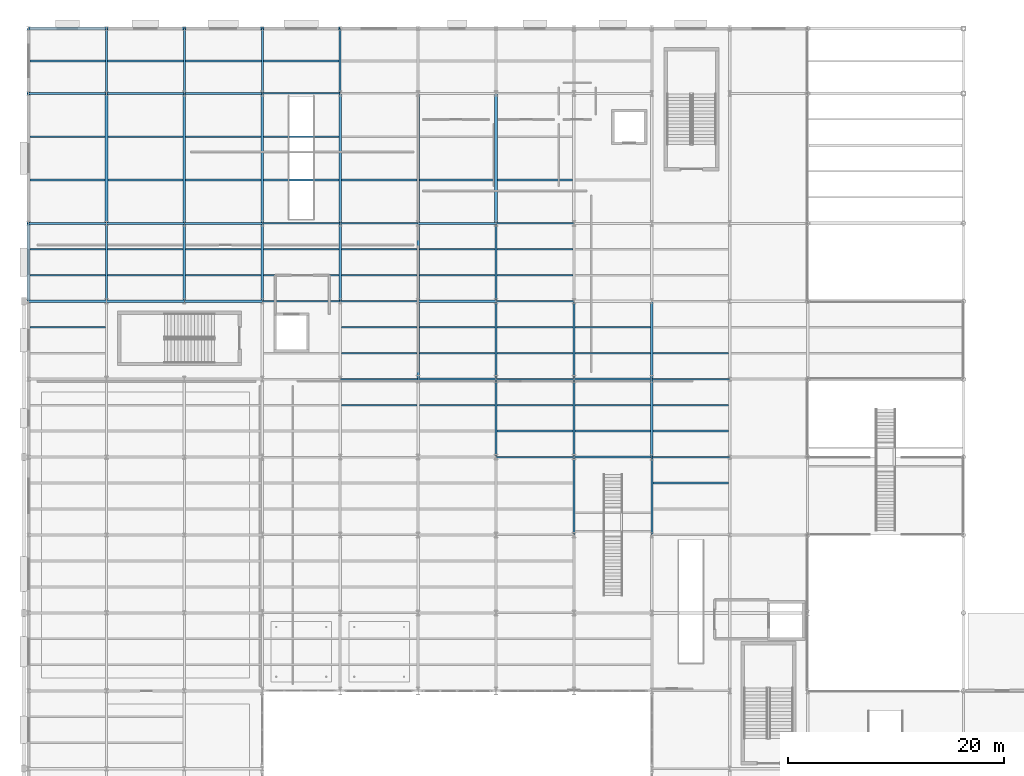
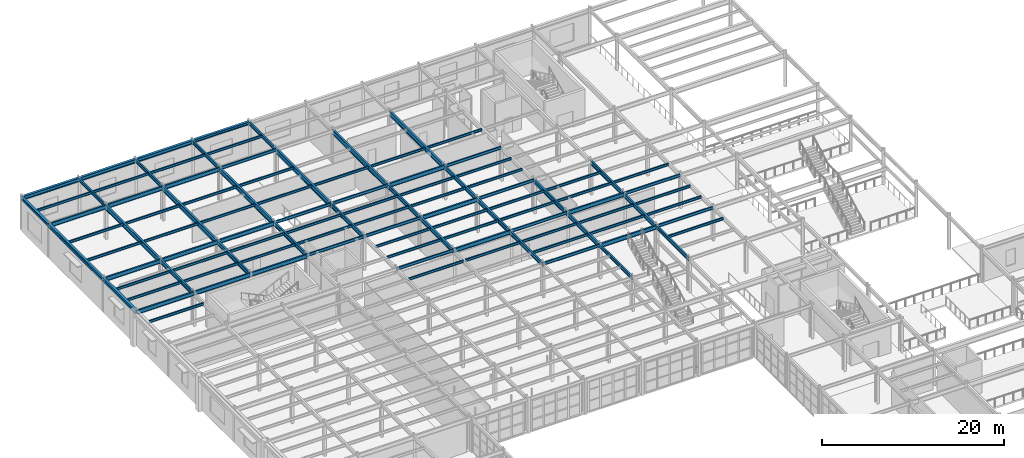
# One storey, part 52 of 121: 106 beams.
"""IFC4 building model written with IfcOpenShell, lengths in metres."""

import ifcopenshell
import ifcopenshell.guid

model = None  # the IFC model being written
_history = None  # IfcOwnerHistory: only IFC2X3 demands one
_inside = {}  # id of a spatial element -> (the spatial element, [elements in it])
_under = {}  # id of a project, library or spatial element -> (it, [spatial elements below it])
_declared = {}  # id of a project -> (the project, [libraries it declares])
_typed = {}  # id of a type object -> (the type object, [elements of that type])
_made_of = {}  # id of a material, layer set ... -> (it, [elements and type objects made of it])


def new_model(schema):
    """Start an empty IFC model of exactly this schema.

    Asked for "IFC4X3", IfcOpenShell would pick the latest addendum, in which some entities
    have other attributes; the version numbers below select the first issue.
    IFC2X3 requires an IfcOwnerHistory on every rooted entity: one is made here for all.
    """
    global model, _history
    if schema == "IFC4X3":
        model = ifcopenshell.file(schema_version=(4, 3, 0, 0))
    else:
        model = ifcopenshell.file(schema=schema)
    _inside.clear()
    _under.clear()
    _declared.clear()
    _typed.clear()
    _made_of.clear()
    _history = None
    if model.schema == "IFC2X3":
        org = make("IfcOrganization", Name="unknown")
        user = make(
            "IfcPersonAndOrganization",
            ThePerson=make("IfcPerson", FamilyName="unknown"),
            TheOrganization=org,
        )
        app = make(
            "IfcApplication",
            ApplicationDeveloper=org,
            Version="unknown",
            ApplicationFullName="unknown",
            ApplicationIdentifier="unknown",
        )
        _history = make(
            "IfcOwnerHistory",
            OwningUser=user,
            OwningApplication=app,
            ChangeAction="ADDED",
            CreationDate=0,
        )
    return model


def make(cls, **values):
    """One entity of the class cls with the attributes given. An attribute that is None is left unset."""
    return model.create_entity(
        cls, **{name: value for name, value in values.items() if value is not None}
    )


def rooted(cls, **values):
    """An entity with a GlobalId (a new one), such as an element, a storey or a relation."""
    return make(cls, GlobalId=ifcopenshell.guid.new(), OwnerHistory=_history, **values)


def si_unit(unit_type, name, prefix=None):
    """IfcSIUnit, for example si_unit("LENGTHUNIT", "METRE", prefix="MILLI")."""
    return make("IfcSIUnit", UnitType=unit_type, Prefix=prefix, Name=name)


def assignment(units):
    """IfcUnitAssignment: the units of a project."""
    return None if units is None else make("IfcUnitAssignment", Units=units)


def point(xyz):
    """IfcCartesianPoint."""
    return None if xyz is None else make("IfcCartesianPoint", Coordinates=xyz)


def direction(xyz):
    """IfcDirection."""
    return None if xyz is None else make("IfcDirection", DirectionRatios=xyz)


def frame(location, z_axis=None, x_axis=None):
    """IfcAxis2Placement3D, a coordinate frame: its origin and axes. An axis left out is left unset."""
    return make(
        "IfcAxis2Placement3D",
        Location=point(location),
        Axis=direction(z_axis),
        RefDirection=direction(x_axis),
    )


def frame_2d(location, x_axis=None):
    """IfcAxis2Placement2D, a coordinate frame in the plane: its origin and x axis."""
    return make(
        "IfcAxis2Placement2D", Location=point(location), RefDirection=direction(x_axis)
    )


def origin():
    """The frame at (0, 0, 0) with its axes left unset."""
    return frame((0.0, 0.0, 0.0))


def origin_2d():
    """The frame at (0, 0) in the plane with its x axis left unset."""
    return frame_2d((0.0, 0.0))


def place(relative_to, where):
    """IfcLocalPlacement: puts the frame where relative to a parent placement (None: the world)."""
    return make(
        "IfcLocalPlacement", PlacementRelTo=relative_to, RelativePlacement=where
    )


def context(
    kind, dimensions, precision=None, world=None, true_north=None, identifier=None
):
    """IfcGeometricRepresentationContext, for example the 3D "Model" context."""
    return make(
        "IfcGeometricRepresentationContext",
        ContextIdentifier=identifier,
        ContextType=kind,
        CoordinateSpaceDimension=dimensions,
        Precision=precision,
        WorldCoordinateSystem=world,
        TrueNorth=true_north,
    )


def subcontext(parent, identifier, kind, view, scale=None):
    """IfcGeometricRepresentationSubContext, for example "Body" below "Model"."""
    return make(
        "IfcGeometricRepresentationSubContext",
        ContextIdentifier=identifier,
        ContextType=kind,
        ParentContext=parent,
        TargetScale=scale,
        TargetView=view,
    )


def project(units=None, contexts=None):
    """IfcProject with its units and contexts."""
    return rooted(
        "IfcProject",
        Name="project",
        RepresentationContexts=contexts,
        UnitsInContext=assignment(units),
    )


def spatial(cls, under=None, at=None, **own):
    """A site, building, storey or space (cls), placed at a placement, below another one or the project."""
    s = rooted(cls, ObjectPlacement=at, **own)
    if under is not None:
        _under.setdefault(under.id(), (under, []))[1].append(s)
    return s


def profile(cls, at=None, kind="AREA", **sizes):
    """A parametric profile (cls). Its sizes go by their IFC names, for example OverallWidth=200.0."""
    return make(cls, ProfileType=kind, Position=at, **sizes)


def i_section(**sizes):
    """IfcIShapeProfileDef."""
    return profile("IfcIShapeProfileDef", **sizes)


def extrude(swept, where, along, depth):
    """IfcExtrudedAreaSolid: the profile swept, set in the frame where, extruded along a direction by depth."""
    return make(
        "IfcExtrudedAreaSolid",
        SweptArea=swept,
        Position=where,
        ExtrudedDirection=direction(along),
        Depth=depth,
    )


def shape(context_of_items, identifier, shape_type, items):
    """IfcShapeRepresentation: the items that make up one representation, for example the "Body"."""
    return make(
        "IfcShapeRepresentation",
        ContextOfItems=context_of_items,
        RepresentationIdentifier=identifier,
        RepresentationType=shape_type,
        Items=items,
    )


def material(Name=None, Category=None):
    """IfcMaterial."""
    return make("IfcMaterial", Name=Name, Category=Category)


def material_profile(
    of_material, cross_section, Name=None, Category=None, Priority=None
):
    """IfcMaterialProfile: a cross section and its material."""
    return make(
        "IfcMaterialProfile",
        Name=Name,
        Material=of_material,
        Profile=cross_section,
        Priority=Priority,
        Category=Category,
    )


def profile_set(profiles, Name=None, composite=None):
    """IfcMaterialProfileSet."""
    return make(
        "IfcMaterialProfileSet",
        Name=Name,
        MaterialProfiles=profiles,
        CompositeProfile=composite,
    )


def made_of(thing, what):
    """Note that an element or type object is made of a material, layer set ...; save() writes the relation."""
    if what is not None:
        _made_of.setdefault(what.id(), (what, []))[1].append(thing)
    return thing


def type_object(cls, material=None, **own):
    """A type object (cls), such as IfcWallType, which elements share."""
    return made_of(rooted(cls, **own), material)


def element(
    cls,
    number,
    at=None,
    inside=None,
    cuts=None,
    type_object=None,
    material=None,
    context=None,
    identifier="Body",
    shape_type=None,
    held_by="IfcProductDefinitionShape",
    body=None,
    shapes=None,
    **own,
):
    """One element of the class cls, such as IfcWall. Its Tag is "e" and its number.

    at: its placement. inside: the storey or other place that contains it. cuts: it is an
    opening in that element (IfcRelVoidsElement). A single representation is given by context,
    identifier, shape_type and body (its items); several are given by shapes. held_by: the class
    of the entity that holds the representations. save() writes the other relations.
    """
    e = rooted(cls, Tag="e%d" % number, ObjectPlacement=at, **own)
    if body is not None:
        shapes = [shape(context, identifier, shape_type, body)]
    if shapes is not None:
        e.Representation = make(held_by, Representations=shapes)
    if inside is not None:
        _inside.setdefault(inside.id(), (inside, []))[1].append(e)
    if cuts is not None:
        rooted(
            "IfcRelVoidsElement", RelatingBuildingElement=cuts, RelatedOpeningElement=e
        )
    if type_object is not None:
        _typed.setdefault(type_object.id(), (type_object, []))[1].append(e)
    return made_of(e, material)


def aggregate(whole, parts):
    """IfcRelAggregates: a whole, such as a stair, and the parts it consists of."""
    return rooted("IfcRelAggregates", RelatingObject=whole, RelatedObjects=parts)


def save(model, path):
    """Write the relations noted so far, then the file.

    IfcRelAggregates (storeys below a building ...), IfcRelContainedInSpatialStructure (elements
    in a storey), IfcRelDefinesByType, IfcRelAssociatesMaterial and IfcRelDeclares: one each for
    every whole, place, type object, material and project.
    """
    for whole, parts in _under.values():
        aggregate(whole, parts)
    for where, things in _inside.values():
        rooted(
            "IfcRelContainedInSpatialStructure",
            RelatedElements=things,
            RelatingStructure=where,
        )
    for kind, things in _typed.values():
        rooted("IfcRelDefinesByType", RelatedObjects=things, RelatingType=kind)
    for what, things in _made_of.values():
        rooted("IfcRelAssociatesMaterial", RelatedObjects=things, RelatingMaterial=what)
    for by, libraries in _declared.values():
        rooted("IfcRelDeclares", RelatingContext=by, RelatedDefinitions=libraries)
    model.write(path)


model = new_model("IFC4")

# Units and contexts
model_context = context("Model", 3, precision=1e-05, world=origin(), true_north=direction((0.0, 1.0)))
body_context = subcontext(model_context, "Body", "Model", "MODEL_VIEW")
ifc_project = project(units=[si_unit("LENGTHUNIT", "METRE"), si_unit("AREAUNIT", "SQUARE_METRE"), si_unit("VOLUMEUNIT", "CUBIC_METRE"), si_unit("PLANEANGLEUNIT", "RADIAN"), si_unit("MASSUNIT", "GRAM", prefix="KILO")], contexts=[model_context])

# Site, building, storey
site_placement = place(None, origin())
site = spatial("IfcSite", under=ifc_project, at=site_placement, CompositionType="ELEMENT")
building_placement = place(site_placement, origin())
building = spatial("IfcBuilding", under=site, at=building_placement, Name="Solvadek Multi-Sports Hall", CompositionType="ELEMENT")
storey_placement = place(building_placement, frame((0.0, 0.0, 4.800048828125)))
storey = spatial("IfcBuildingStorey", under=building, at=storey_placement, Name="L01", CompositionType="ELEMENT", Elevation=4.800048828125)

# Beams
ifc_material = material(Name="Steel E350 (350 MPa)", Category="steel")
ifc_material_profile_1 = material_profile(ifc_material, i_section(OverallWidth=0.139892578125, OverallDepth=0.39990234375, WebThickness=0.0087890625, FlangeThickness=0.01611328125, at=origin_2d()), Name="ISMB 400")
ifc_profile_set_1 = profile_set([ifc_material_profile_1], Name="Steel E350 (350 MPa)")
beam_type_1 = type_object("IfcBeamType", Name="STR-BM-ISMB400", PredefinedType="BEAM", material=ifc_profile_set_1)
for number, where, z_axis, x_axis, name in (
    (1, (43.199951171875, 70.800048828125, 4.35986328125), (1.0, 0.0, 0.0), (0.0, 1.0, 0.0), "L01 Girder B-10 #1052"),
    (2, (57.60009765625, 70.800048828125, 4.35986328125), (1.0, 0.0, 0.0), (0.0, 1.0, 0.0), "L01 Girder B-10 #1054"),
    (3, (28.800048828125, 78.0, 4.35986328125), (1.0, 0.0, 0.0), (0.0, 1.0, 0.0), "L01 Girder B-10 #1064"),
    (4, (43.199951171875, 78.0, 4.35986328125), (1.0, 0.0, 0.0), (0.0, 1.0, 0.0), "L01 Girder B-10 #1066"),
    (5, (57.60009765625, 78.0, 4.35986328125), (1.0, 0.0, 0.0), (0.0, 1.0, 0.0), "L01 Girder B-10 #1068"),
    (6, (21.60009765625, 85.199951171875, 4.35986328125), (1.0, 0.0, 0.0), (0.0, 1.0, 0.0), "L01 Girder B-10 #1074"),
    (7, (28.800048828125, 85.199951171875, 4.35986328125), (1.0, 0.0, 0.0), (0.0, 1.0, 0.0), "L01 Girder B-10 #1075"),
    (8, (43.199951171875, 85.199951171875, 4.35986328125), (1.0, 0.0, 0.0), (0.0, 1.0, 0.0), "L01 Girder B-10 #1077"),
    (9, (21.60009765625, 92.39990234375, 4.35986328125), (1.0, 0.0, 0.0), (0.0, 1.0, 0.0), "L01 Girder B-10 #1085"),
    (10, (28.800048828125, 92.39990234375, 4.35986328125), (1.0, 0.0, 0.0), (0.0, 1.0, 0.0), "L01 Girder B-10 #1086"),
    (11, (43.199951171875, 92.39990234375, 4.35986328125), (1.0, 0.0, 0.0), (0.0, 1.0, 0.0), "L01 Girder B-10 #1088"),
    (12, (21.60009765625, 104.39990234375, 4.35986328125), (1.0, 0.0, 0.0), (0.0, 1.0, 0.0), "L01 Girder B-10 #1095"),
):
    element("IfcBeam", number, at=place(storey_placement, frame(where, z_axis=z_axis, x_axis=x_axis)), inside=storey, type_object=beam_type_1, Name=name, PredefinedType="BEAM", context=body_context, shape_type="SweptSolid", body=[
        extrude(i_section(OverallWidth=0.139892578125, OverallDepth=0.39990234375, WebThickness=0.0087890625, FlangeThickness=0.01611328125, at=origin_2d()), origin(), (0.0, 0.0, 1.0), 7.199951171875),
    ])
ifc_material_profile_2 = material_profile(ifc_material, i_section(OverallWidth=0.18994140625, OverallDepth=0.550048828125, WebThickness=0.01123046875, FlangeThickness=0.019287109375, at=origin_2d()), Name="ISMB 550")
ifc_profile_set_2 = profile_set([ifc_material_profile_2], Name="Steel E350 (350 MPa)")
beam_type_2 = type_object("IfcBeamType", Name="STR-BM-ISMB550", PredefinedType="BEAM", material=ifc_profile_set_2)
beam_1_placement = place(storey_placement, frame((50.39990234375, 70.800048828125, 4.284912109375), z_axis=(1.0, 0.0, 0.0), x_axis=(0.0, 1.0, 0.0)))
element("IfcBeam", 13, at=beam_1_placement, inside=storey, type_object=beam_type_2, Name="L01 Girder B-06 #1053", PredefinedType="BEAM", context=body_context, shape_type="SweptSolid", body=[
    extrude(i_section(OverallWidth=0.18994140625, OverallDepth=0.550048828125, WebThickness=0.01123046875, FlangeThickness=0.019287109375, at=origin_2d()), origin(), (0.0, 0.0, 1.0), 7.2001953125),
])
beam_2_placement = place(storey_placement, frame((36.0, 78.0, 4.284912109375), z_axis=(1.0, 0.0, 0.0), x_axis=(0.0, 1.0, 0.0)))
element("IfcBeam", 14, at=beam_2_placement, inside=storey, type_object=beam_type_2, Name="L01 Girder B-06 #1065", PredefinedType="BEAM", context=body_context, shape_type="SweptSolid", body=[
    extrude(i_section(OverallWidth=0.18994140625, OverallDepth=0.550048828125, WebThickness=0.01123046875, FlangeThickness=0.019287109375, at=origin_2d()), origin(), (0.0, 0.0, 1.0), 7.199951171875),
])
beam_3_placement = place(storey_placement, frame((50.39990234375, 78.0, 4.284912109375), z_axis=(1.0, 0.0, 0.0), x_axis=(0.0, 1.0, 0.0)))
element("IfcBeam", 15, at=beam_3_placement, inside=storey, type_object=beam_type_2, Name="L01 Girder B-06 #1067", PredefinedType="BEAM", context=body_context, shape_type="SweptSolid", body=[
    extrude(i_section(OverallWidth=0.18994140625, OverallDepth=0.550048828125, WebThickness=0.01123046875, FlangeThickness=0.019287109375, at=origin_2d()), origin(), (0.0, 0.0, 1.0), 7.2001953125),
])
for number, where, z_axis, x_axis, name in (
    (16, (0.0, 85.199951171875, 4.284912109375), (1.0, 0.0, 0.0), (0.0, 1.0, 0.0), "L01 Girder B-06 #1071"),
    (17, (7.199951171875, 85.199951171875, 4.284912109375), (1.0, 0.0, 0.0), (0.0, 1.0, 0.0), "L01 Girder B-06 #1072"),
):
    element("IfcBeam", number, at=place(storey_placement, frame(where, z_axis=z_axis, x_axis=x_axis)), inside=storey, type_object=beam_type_2, Name=name, PredefinedType="BEAM", context=body_context, shape_type="SweptSolid", body=[
        extrude(i_section(OverallWidth=0.18994140625, OverallDepth=0.550048828125, WebThickness=0.01123046875, FlangeThickness=0.019287109375, at=origin_2d()), origin(), (0.0, 0.0, 1.0), 7.199951171875),
    ])
beam_4_placement = place(storey_placement, frame((14.39990234375, 85.199951171875, 4.284912109375), z_axis=(1.0, 0.0, 0.0), x_axis=(0.0, 1.0, 0.0)))
element("IfcBeam", 18, at=beam_4_placement, inside=storey, type_object=beam_type_2, Name="L01 Girder B-06 #1073", PredefinedType="BEAM", context=body_context, shape_type="SweptSolid", body=[
    extrude(i_section(OverallWidth=0.18994140625, OverallDepth=0.550048828125, WebThickness=0.01123046875, FlangeThickness=0.019287109375, at=origin_2d()), origin(), (0.0, 0.0, 1.0), 7.2001953125),
])
for number, where, z_axis, x_axis, name in (
    (19, (36.0, 85.199951171875, 4.284912109375), (1.0, 0.0, 0.0), (0.0, 1.0, 0.0), "L01 Girder B-06 #1076"),
    (20, (0.0, 92.39990234375, 4.284912109375), (1.0, 0.0, 0.0), (0.0, 1.0, 0.0), "L01 Girder B-06 #1082"),
    (21, (7.199951171875, 92.39990234375, 4.284912109375), (1.0, 0.0, 0.0), (0.0, 1.0, 0.0), "L01 Girder B-06 #1083"),
):
    element("IfcBeam", number, at=place(storey_placement, frame(where, z_axis=z_axis, x_axis=x_axis)), inside=storey, type_object=beam_type_2, Name=name, PredefinedType="BEAM", context=body_context, shape_type="SweptSolid", body=[
        extrude(i_section(OverallWidth=0.18994140625, OverallDepth=0.550048828125, WebThickness=0.01123046875, FlangeThickness=0.019287109375, at=origin_2d()), origin(), (0.0, 0.0, 1.0), 7.199951171875),
    ])
beam_5_placement = place(storey_placement, frame((14.39990234375, 92.39990234375, 4.284912109375), z_axis=(1.0, 0.0, 0.0), x_axis=(0.0, 1.0, 0.0)))
element("IfcBeam", 22, at=beam_5_placement, inside=storey, type_object=beam_type_2, Name="L01 Girder B-06 #1084", PredefinedType="BEAM", context=body_context, shape_type="SweptSolid", body=[
    extrude(i_section(OverallWidth=0.18994140625, OverallDepth=0.550048828125, WebThickness=0.01123046875, FlangeThickness=0.019287109375, at=origin_2d()), origin(), (0.0, 0.0, 1.0), 7.2001953125),
])
for number, where, z_axis, x_axis, name in (
    (23, (36.0, 92.39990234375, 4.284912109375), (1.0, 0.0, 0.0), (0.0, 1.0, 0.0), "L01 Girder B-06 #1087"),
    (24, (0.0, 104.39990234375, 4.284912109375), (1.0, 0.0, 0.0), (0.0, 1.0, 0.0), "L01 Girder B-06 #1092"),
    (25, (7.199951171875, 104.39990234375, 4.284912109375), (1.0, 0.0, 0.0), (0.0, 1.0, 0.0), "L01 Girder B-06 #1093"),
):
    element("IfcBeam", number, at=place(storey_placement, frame(where, z_axis=z_axis, x_axis=x_axis)), inside=storey, type_object=beam_type_2, Name=name, PredefinedType="BEAM", context=body_context, shape_type="SweptSolid", body=[
        extrude(i_section(OverallWidth=0.18994140625, OverallDepth=0.550048828125, WebThickness=0.01123046875, FlangeThickness=0.019287109375, at=origin_2d()), origin(), (0.0, 0.0, 1.0), 7.199951171875),
    ])
beam_6_placement = place(storey_placement, frame((14.39990234375, 104.39990234375, 4.284912109375), z_axis=(1.0, 0.0, 0.0), x_axis=(0.0, 1.0, 0.0)))
element("IfcBeam", 26, at=beam_6_placement, inside=storey, type_object=beam_type_2, Name="L01 Girder B-06 #1094", PredefinedType="BEAM", context=body_context, shape_type="SweptSolid", body=[
    extrude(i_section(OverallWidth=0.18994140625, OverallDepth=0.550048828125, WebThickness=0.01123046875, FlangeThickness=0.019287109375, at=origin_2d()), origin(), (0.0, 0.0, 1.0), 7.2001953125),
])
ifc_material_profile_3 = material_profile(ifc_material, i_section(OverallWidth=0.18994140625, OverallDepth=0.449951171875, WebThickness=0.009521484375, FlangeThickness=0.0146484375, at=origin_2d()), Name="NPB 450")
ifc_profile_set_3 = profile_set([ifc_material_profile_3], Name="Steel E350 (350 MPa)")
beam_type_3 = type_object("IfcBeamType", Name="STR-BM-NPB450", PredefinedType="BEAM", material=ifc_profile_set_3)
for number, where, z_axis, x_axis, name in (
    (27, (7.199951171875, 104.39990234375, 4.3349609375), (0.0, 1.0, 0.0), (-1.0, 0.0, 0.0), "L01 Girder B-08 #1139"),
    (28, (14.39990234375, 104.39990234375, 4.3349609375), (0.0, 1.0, 0.0), (-1.0, 0.0, 0.0), "L01 Girder B-08 #1150"),
    (29, (21.60009765625, 104.39990234375, 4.3349609375), (0.0, 1.0, 0.0), (-1.0, 0.0, 0.0), "L01 Girder B-08 #1162"),
    (30, (28.800048828125, 104.39990234375, 4.3349609375), (0.0, 1.0, 0.0), (-1.0, 0.0, 0.0), "L01 Girder B-08 #1170"),
):
    element("IfcBeam", number, at=place(storey_placement, frame(where, z_axis=z_axis, x_axis=x_axis)), inside=storey, type_object=beam_type_3, Name=name, PredefinedType="BEAM", context=body_context, shape_type="SweptSolid", body=[
        extrude(i_section(OverallWidth=0.18994140625, OverallDepth=0.449951171875, WebThickness=0.009521484375, FlangeThickness=0.0146484375, at=origin_2d()), origin(), (0.0, 0.0, 1.0), 6.0),
    ])
for number, where, z_axis, x_axis, name in (
    (31, (50.39990234375, 63.60009765625, 4.3349609375), (0.0, 1.0, 0.0), (-1.0, 0.0, 0.0), "L01 Girder B-08 #1199"),
    (32, (57.60009765625, 63.60009765625, 4.3349609375), (0.0, 1.0, 0.0), (-1.0, 0.0, 0.0), "L01 Girder B-08 #1218"),
):
    element("IfcBeam", number, at=place(storey_placement, frame(where, z_axis=z_axis, x_axis=x_axis)), inside=storey, type_object=beam_type_3, Name=name, PredefinedType="BEAM", context=body_context, shape_type="SweptSolid", body=[
        extrude(i_section(OverallWidth=0.18994140625, OverallDepth=0.449951171875, WebThickness=0.009521484375, FlangeThickness=0.0146484375, at=origin_2d()), origin(), (0.0, 0.0, 1.0), 7.199951171875),
    ])
ifc_material_profile_4 = material_profile(ifc_material, i_section(OverallWidth=0.2099609375, OverallDepth=0.550048828125, WebThickness=0.010986328125, FlangeThickness=0.01708984375, at=origin_2d()), Name="NPB 550")
ifc_profile_set_4 = profile_set([ifc_material_profile_4], Name="Steel E350 (350 MPa)")
beam_type_4 = type_object("IfcBeamType", Name="STR-BM-NPB550", PredefinedType="BEAM", material=ifc_profile_set_4)
for number, where, z_axis, x_axis, name in (
    (33, (7.199951171875, 85.199951171875, 4.284912109375), (0.0, 1.0, 0.0), (-1.0, 0.0, 0.0), "L01 Girder B-05 #1137"),
    (34, (14.39990234375, 85.199951171875, 4.284912109375), (0.0, 1.0, 0.0), (-1.0, 0.0, 0.0), "L01 Girder B-05 #1148"),
    (35, (21.60009765625, 85.199951171875, 4.284912109375), (0.0, 1.0, 0.0), (-1.0, 0.0, 0.0), "L01 Girder B-05 #1160"),
    (36, (28.800048828125, 85.199951171875, 4.284912109375), (0.0, 1.0, 0.0), (-1.0, 0.0, 0.0), "L01 Girder B-05 #1168"),
    (37, (36.0, 78.0, 4.284912109375), (0.0, 1.0, 0.0), (-1.0, 0.0, 0.0), "L01 Girder B-05 #1177"),
    (38, (36.0, 85.199951171875, 4.284912109375), (0.0, 1.0, 0.0), (-1.0, 0.0, 0.0), "L01 Girder B-05 #1178"),
    (39, (43.199951171875, 70.800048828125, 4.284912109375), (0.0, 1.0, 0.0), (-1.0, 0.0, 0.0), "L01 Girder B-05 #1188"),
    (40, (43.199951171875, 78.0, 4.284912109375), (0.0, 1.0, 0.0), (-1.0, 0.0, 0.0), "L01 Girder B-05 #1189"),
    (41, (43.199951171875, 85.199951171875, 4.284912109375), (0.0, 1.0, 0.0), (-1.0, 0.0, 0.0), "L01 Girder B-05 #1190"),
    (42, (50.39990234375, 70.800048828125, 4.284912109375), (0.0, 1.0, 0.0), (-1.0, 0.0, 0.0), "L01 Girder B-05 #1200"),
    (43, (50.39990234375, 78.0, 4.284912109375), (0.0, 1.0, 0.0), (-1.0, 0.0, 0.0), "L01 Girder B-05 #1201"),
    (44, (57.60009765625, 70.800048828125, 4.284912109375), (0.0, 1.0, 0.0), (-1.0, 0.0, 0.0), "L01 Girder B-05 #1219"),
    (45, (57.60009765625, 78.0, 4.284912109375), (0.0, 1.0, 0.0), (-1.0, 0.0, 0.0), "L01 Girder B-05 #1220"),
):
    element("IfcBeam", number, at=place(storey_placement, frame(where, z_axis=z_axis, x_axis=x_axis)), inside=storey, type_object=beam_type_4, Name=name, PredefinedType="BEAM", context=body_context, shape_type="SweptSolid", body=[
        extrude(i_section(OverallWidth=0.2099609375, OverallDepth=0.550048828125, WebThickness=0.010986328125, FlangeThickness=0.01708984375, at=origin_2d()), origin(), (0.0, 0.0, 1.0), 7.199951171875),
    ])
ifc_material_profile_5 = material_profile(ifc_material, i_section(OverallWidth=0.239990234375, OverallDepth=0.64990234375, WebThickness=0.0126953125, FlangeThickness=0.0205078125, at=origin_2d()), Name="NPB 650")
ifc_profile_set_5 = profile_set([ifc_material_profile_5], Name="Steel E350 (350 MPa)")
beam_type_5 = type_object("IfcBeamType", Name="STR-BM-NPB650", PredefinedType="BEAM", material=ifc_profile_set_5)
for number, where, z_axis, x_axis, name in (
    (46, (7.199951171875, 92.39990234375, 4.23486328125), (0.0, 1.0, 0.0), (-1.0, 0.0, 0.0), "L01 Girder B-03 #1138"),
    (47, (14.39990234375, 92.39990234375, 4.23486328125), (0.0, 1.0, 0.0), (-1.0, 0.0, 0.0), "L01 Girder B-03 #1149"),
    (48, (21.60009765625, 92.39990234375, 4.23486328125), (0.0, 1.0, 0.0), (-1.0, 0.0, 0.0), "L01 Girder B-03 #1161"),
    (49, (28.800048828125, 92.39990234375, 4.23486328125), (0.0, 1.0, 0.0), (-1.0, 0.0, 0.0), "L01 Girder B-03 #1169"),
    (50, (36.0, 92.39990234375, 4.23486328125), (0.0, 1.0, 0.0), (-1.0, 0.0, 0.0), "L01 Girder B-03 #1179"),
    (51, (43.199951171875, 92.39990234375, 4.23486328125), (0.0, 1.0, 0.0), (-1.0, 0.0, 0.0), "L01 Girder B-03 #1191"),
):
    element("IfcBeam", number, at=place(storey_placement, frame(where, z_axis=z_axis, x_axis=x_axis)), inside=storey, type_object=beam_type_5, Name=name, PredefinedType="BEAM", context=body_context, shape_type="SweptSolid", body=[
        extrude(i_section(OverallWidth=0.239990234375, OverallDepth=0.64990234375, WebThickness=0.0126953125, FlangeThickness=0.0205078125, at=origin_2d()), origin(), (0.0, 0.0, 1.0), 12.0),
    ])
ifc_material_profile_6 = material_profile(ifc_material, i_section(OverallWidth=0.159912109375, OverallDepth=0.330078125, WebThickness=0.007568359375, FlangeThickness=0.011474609375, at=origin_2d()), Name="NPB 330")
ifc_profile_set_6 = profile_set([ifc_material_profile_6], Name="Steel E350 (350 MPa)")
beam_type_6 = type_object("IfcBeamType", Name="STR-JST-NPB330", PredefinedType="JOIST", material=ifc_profile_set_6)
beam_7_placement = place(storey_placement, frame((57.695068359375, 68.39990234375, 4.39501953125), z_axis=(1.0, 0.0, 0.0), x_axis=(0.0, 1.0, 0.0)))
element("IfcBeam", 52, at=beam_7_placement, inside=storey, type_object=beam_type_6, Name="L01 Composite Joist J-02 #677", PredefinedType="JOIST", context=body_context, shape_type="SweptSolid", body=[
    extrude(i_section(OverallWidth=0.159912109375, OverallDepth=0.330078125, WebThickness=0.007568359375, FlangeThickness=0.011474609375, at=origin_2d()), origin(), (0.0, 0.0, 1.0), 7.010009765625),
])
for number, where, z_axis, x_axis, name in (
    (53, (28.905029296875, 75.60009765625, 4.39501953125), (1.0, 0.0, 0.0), (0.0, 1.0, 0.0), "L01 Composite Joist J-02 #691"),
    (54, (36.10498046875, 75.60009765625, 4.39501953125), (1.0, 0.0, 0.0), (0.0, 1.0, 0.0), "L01 Composite Joist J-02 #693"),
    (55, (43.304931640625, 73.199951171875, 4.39501953125), (1.0, 0.0, 0.0), (0.0, 1.0, 0.0), "L01 Composite Joist J-02 #694"),
    (56, (43.304931640625, 75.60009765625, 4.39501953125), (1.0, 0.0, 0.0), (0.0, 1.0, 0.0), "L01 Composite Joist J-02 #695"),
):
    element("IfcBeam", number, at=place(storey_placement, frame(where, z_axis=z_axis, x_axis=x_axis)), inside=storey, type_object=beam_type_6, Name=name, PredefinedType="JOIST", context=body_context, shape_type="SweptSolid", body=[
        extrude(i_section(OverallWidth=0.159912109375, OverallDepth=0.330078125, WebThickness=0.007568359375, FlangeThickness=0.011474609375, at=origin_2d()), origin(), (0.0, 0.0, 1.0), 6.989990234375),
    ])
for number, where, z_axis, x_axis, name in (
    (57, (50.5048828125, 73.199951171875, 4.39501953125), (1.0, 0.0, 0.0), (0.0, 1.0, 0.0), "L01 Composite Joist J-02 #696"),
    (58, (50.5048828125, 75.60009765625, 4.39501953125), (1.0, 0.0, 0.0), (0.0, 1.0, 0.0), "L01 Composite Joist J-02 #697"),
):
    element("IfcBeam", number, at=place(storey_placement, frame(where, z_axis=z_axis, x_axis=x_axis)), inside=storey, type_object=beam_type_6, Name=name, PredefinedType="JOIST", context=body_context, shape_type="SweptSolid", body=[
        extrude(i_section(OverallWidth=0.159912109375, OverallDepth=0.330078125, WebThickness=0.007568359375, FlangeThickness=0.011474609375, at=origin_2d()), origin(), (0.0, 0.0, 1.0), 6.990234375),
    ])
for number, where, z_axis, x_axis, name in (
    (59, (57.705078125, 73.199951171875, 4.39501953125), (1.0, 0.0, 0.0), (0.0, 1.0, 0.0), "L01 Composite Joist J-02 #698"),
    (60, (57.705078125, 75.60009765625, 4.39501953125), (1.0, 0.0, 0.0), (0.0, 1.0, 0.0), "L01 Composite Joist J-02 #699"),
):
    element("IfcBeam", number, at=place(storey_placement, frame(where, z_axis=z_axis, x_axis=x_axis)), inside=storey, type_object=beam_type_6, Name=name, PredefinedType="JOIST", context=body_context, shape_type="SweptSolid", body=[
        extrude(i_section(OverallWidth=0.159912109375, OverallDepth=0.330078125, WebThickness=0.007568359375, FlangeThickness=0.011474609375, at=origin_2d()), origin(), (0.0, 0.0, 1.0), 6.989990234375),
    ])
beam_8_placement = place(storey_placement, frame((0.14990234375, 82.800048828125, 4.39501953125), z_axis=(1.0, 0.0, 0.0), x_axis=(0.0, 1.0, 0.0)))
element("IfcBeam", 61, at=beam_8_placement, inside=storey, type_object=beam_type_6, Name="L01 Composite Joist J-02 #701", PredefinedType="JOIST", context=body_context, shape_type="SweptSolid", body=[
    extrude(i_section(OverallWidth=0.159912109375, OverallDepth=0.330078125, WebThickness=0.007568359375, FlangeThickness=0.011474609375, at=origin_2d()), origin(), (0.0, 0.0, 1.0), 6.945068359375),
])
for number, where, z_axis, x_axis, name in (
    (62, (28.905029296875, 80.39990234375, 4.39501953125), (1.0, 0.0, 0.0), (0.0, 1.0, 0.0), "L01 Composite Joist J-02 #703"),
    (63, (28.905029296875, 82.800048828125, 4.39501953125), (1.0, 0.0, 0.0), (0.0, 1.0, 0.0), "L01 Composite Joist J-02 #704"),
    (64, (36.10498046875, 80.39990234375, 4.39501953125), (1.0, 0.0, 0.0), (0.0, 1.0, 0.0), "L01 Composite Joist J-02 #705"),
    (65, (36.10498046875, 82.800048828125, 4.39501953125), (1.0, 0.0, 0.0), (0.0, 1.0, 0.0), "L01 Composite Joist J-02 #706"),
    (66, (43.304931640625, 80.39990234375, 4.39501953125), (1.0, 0.0, 0.0), (0.0, 1.0, 0.0), "L01 Composite Joist J-02 #707"),
    (67, (43.304931640625, 82.800048828125, 4.39501953125), (1.0, 0.0, 0.0), (0.0, 1.0, 0.0), "L01 Composite Joist J-02 #708"),
):
    element("IfcBeam", number, at=place(storey_placement, frame(where, z_axis=z_axis, x_axis=x_axis)), inside=storey, type_object=beam_type_6, Name=name, PredefinedType="JOIST", context=body_context, shape_type="SweptSolid", body=[
        extrude(i_section(OverallWidth=0.159912109375, OverallDepth=0.330078125, WebThickness=0.007568359375, FlangeThickness=0.011474609375, at=origin_2d()), origin(), (0.0, 0.0, 1.0), 6.989990234375),
    ])
for number, where, z_axis, x_axis, name in (
    (68, (50.5048828125, 80.39990234375, 4.39501953125), (1.0, 0.0, 0.0), (0.0, 1.0, 0.0), "L01 Composite Joist J-02 #709"),
    (69, (50.5048828125, 82.800048828125, 4.39501953125), (1.0, 0.0, 0.0), (0.0, 1.0, 0.0), "L01 Composite Joist J-02 #710"),
):
    element("IfcBeam", number, at=place(storey_placement, frame(where, z_axis=z_axis, x_axis=x_axis)), inside=storey, type_object=beam_type_6, Name=name, PredefinedType="JOIST", context=body_context, shape_type="SweptSolid", body=[
        extrude(i_section(OverallWidth=0.159912109375, OverallDepth=0.330078125, WebThickness=0.007568359375, FlangeThickness=0.011474609375, at=origin_2d()), origin(), (0.0, 0.0, 1.0), 6.990234375),
    ])
beam_9_placement = place(storey_placement, frame((57.705078125, 80.39990234375, 4.39501953125), z_axis=(1.0, 0.0, 0.0), x_axis=(0.0, 1.0, 0.0)))
element("IfcBeam", 70, at=beam_9_placement, inside=storey, type_object=beam_type_6, Name="L01 Composite Joist J-02 #711", PredefinedType="JOIST", context=body_context, shape_type="SweptSolid", body=[
    extrude(i_section(OverallWidth=0.159912109375, OverallDepth=0.330078125, WebThickness=0.007568359375, FlangeThickness=0.011474609375, at=origin_2d()), origin(), (0.0, 0.0, 1.0), 6.989990234375),
])
for number, where, z_axis, x_axis, name in (
    (71, (0.14990234375, 87.60009765625, 4.39501953125), (1.0, 0.0, 0.0), (0.0, 1.0, 0.0), "L01 Composite Joist J-02 #717"),
    (72, (0.14990234375, 90.0, 4.39501953125), (1.0, 0.0, 0.0), (0.0, 1.0, 0.0), "L01 Composite Joist J-02 #718"),
):
    element("IfcBeam", number, at=place(storey_placement, frame(where, z_axis=z_axis, x_axis=x_axis)), inside=storey, type_object=beam_type_6, Name=name, PredefinedType="JOIST", context=body_context, shape_type="SweptSolid", body=[
        extrude(i_section(OverallWidth=0.159912109375, OverallDepth=0.330078125, WebThickness=0.007568359375, FlangeThickness=0.011474609375, at=origin_2d()), origin(), (0.0, 0.0, 1.0), 6.945068359375),
    ])
for number, where, z_axis, x_axis, name in (
    (73, (7.304931640625, 87.60009765625, 4.39501953125), (1.0, 0.0, 0.0), (0.0, 1.0, 0.0), "L01 Composite Joist J-02 #719"),
    (74, (7.304931640625, 90.0, 4.39501953125), (1.0, 0.0, 0.0), (0.0, 1.0, 0.0), "L01 Composite Joist J-02 #720"),
):
    element("IfcBeam", number, at=place(storey_placement, frame(where, z_axis=z_axis, x_axis=x_axis)), inside=storey, type_object=beam_type_6, Name=name, PredefinedType="JOIST", context=body_context, shape_type="SweptSolid", body=[
        extrude(i_section(OverallWidth=0.159912109375, OverallDepth=0.330078125, WebThickness=0.007568359375, FlangeThickness=0.011474609375, at=origin_2d()), origin(), (0.0, 0.0, 1.0), 6.989990234375),
    ])
for number, where, z_axis, x_axis, name in (
    (75, (14.5048828125, 87.60009765625, 4.39501953125), (1.0, 0.0, 0.0), (0.0, 1.0, 0.0), "L01 Composite Joist J-02 #721"),
    (76, (14.5048828125, 90.0, 4.39501953125), (1.0, 0.0, 0.0), (0.0, 1.0, 0.0), "L01 Composite Joist J-02 #722"),
):
    element("IfcBeam", number, at=place(storey_placement, frame(where, z_axis=z_axis, x_axis=x_axis)), inside=storey, type_object=beam_type_6, Name=name, PredefinedType="JOIST", context=body_context, shape_type="SweptSolid", body=[
        extrude(i_section(OverallWidth=0.159912109375, OverallDepth=0.330078125, WebThickness=0.007568359375, FlangeThickness=0.011474609375, at=origin_2d()), origin(), (0.0, 0.0, 1.0), 6.990234375),
    ])
for number, where, z_axis, x_axis, name in (
    (77, (21.705078125, 87.60009765625, 4.39501953125), (1.0, 0.0, 0.0), (0.0, 1.0, 0.0), "L01 Composite Joist J-02 #723"),
    (78, (21.705078125, 90.0, 4.39501953125), (1.0, 0.0, 0.0), (0.0, 1.0, 0.0), "L01 Composite Joist J-02 #724"),
    (79, (28.905029296875, 87.60009765625, 4.39501953125), (1.0, 0.0, 0.0), (0.0, 1.0, 0.0), "L01 Composite Joist J-02 #725"),
    (80, (28.905029296875, 90.0, 4.39501953125), (1.0, 0.0, 0.0), (0.0, 1.0, 0.0), "L01 Composite Joist J-02 #726"),
    (81, (36.10498046875, 87.60009765625, 4.39501953125), (1.0, 0.0, 0.0), (0.0, 1.0, 0.0), "L01 Composite Joist J-02 #727"),
    (82, (36.10498046875, 90.0, 4.39501953125), (1.0, 0.0, 0.0), (0.0, 1.0, 0.0), "L01 Composite Joist J-02 #728"),
    (83, (43.304931640625, 87.60009765625, 4.39501953125), (1.0, 0.0, 0.0), (0.0, 1.0, 0.0), "L01 Composite Joist J-02 #729"),
    (84, (43.304931640625, 90.0, 4.39501953125), (1.0, 0.0, 0.0), (0.0, 1.0, 0.0), "L01 Composite Joist J-02 #730"),
):
    element("IfcBeam", number, at=place(storey_placement, frame(where, z_axis=z_axis, x_axis=x_axis)), inside=storey, type_object=beam_type_6, Name=name, PredefinedType="JOIST", context=body_context, shape_type="SweptSolid", body=[
        extrude(i_section(OverallWidth=0.159912109375, OverallDepth=0.330078125, WebThickness=0.007568359375, FlangeThickness=0.011474609375, at=origin_2d()), origin(), (0.0, 0.0, 1.0), 6.989990234375),
    ])
for number, where, z_axis, x_axis, name in (
    (85, (0.14990234375, 96.39990234375, 4.39501953125), (1.0, 0.0, 0.0), (0.0, 1.0, 0.0), "L01 Composite Joist J-02 #735"),
    (86, (0.14990234375, 100.39990234375, 4.39501953125), (1.0, 0.0, 0.0), (0.0, 1.0, 0.0), "L01 Composite Joist J-02 #736"),
):
    element("IfcBeam", number, at=place(storey_placement, frame(where, z_axis=z_axis, x_axis=x_axis)), inside=storey, type_object=beam_type_6, Name=name, PredefinedType="JOIST", context=body_context, shape_type="SweptSolid", body=[
        extrude(i_section(OverallWidth=0.159912109375, OverallDepth=0.330078125, WebThickness=0.007568359375, FlangeThickness=0.011474609375, at=origin_2d()), origin(), (0.0, 0.0, 1.0), 6.93017578125),
    ])
for number, where, z_axis, x_axis, name in (
    (87, (7.320068359375, 96.39990234375, 4.39501953125), (1.0, 0.0, 0.0), (0.0, 1.0, 0.0), "L01 Composite Joist J-02 #737"),
    (88, (7.320068359375, 100.39990234375, 4.39501953125), (1.0, 0.0, 0.0), (0.0, 1.0, 0.0), "L01 Composite Joist J-02 #738"),
    (89, (14.52001953125, 96.39990234375, 4.39501953125), (1.0, 0.0, 0.0), (0.0, 1.0, 0.0), "L01 Composite Joist J-02 #739"),
    (90, (14.52001953125, 100.39990234375, 4.39501953125), (1.0, 0.0, 0.0), (0.0, 1.0, 0.0), "L01 Composite Joist J-02 #740"),
    (91, (21.719970703125, 96.39990234375, 4.39501953125), (1.0, 0.0, 0.0), (0.0, 1.0, 0.0), "L01 Composite Joist J-02 #741"),
    (92, (21.719970703125, 100.39990234375, 4.39501953125), (1.0, 0.0, 0.0), (0.0, 1.0, 0.0), "L01 Composite Joist J-02 #742"),
    (93, (28.919921875, 96.39990234375, 4.39501953125), (1.0, 0.0, 0.0), (0.0, 1.0, 0.0), "L01 Composite Joist J-02 #743"),
    (94, (36.1201171875, 96.39990234375, 4.39501953125), (1.0, 0.0, 0.0), (0.0, 1.0, 0.0), "L01 Composite Joist J-02 #745"),
    (95, (43.320068359375, 96.39990234375, 4.39501953125), (1.0, 0.0, 0.0), (0.0, 1.0, 0.0), "L01 Composite Joist J-02 #747"),
):
    element("IfcBeam", number, at=place(storey_placement, frame(where, z_axis=z_axis, x_axis=x_axis)), inside=storey, type_object=beam_type_6, Name=name, PredefinedType="JOIST", context=body_context, shape_type="SweptSolid", body=[
        extrude(i_section(OverallWidth=0.159912109375, OverallDepth=0.330078125, WebThickness=0.007568359375, FlangeThickness=0.011474609375, at=origin_2d()), origin(), (0.0, 0.0, 1.0), 6.9599609375),
    ])
beam_10_placement = place(storey_placement, frame((0.14990234375, 107.39990234375, 4.39501953125), z_axis=(1.0, 0.0, 0.0), x_axis=(0.0, 1.0, 0.0)))
element("IfcBeam", 96, at=beam_10_placement, inside=storey, type_object=beam_type_6, Name="L01 Composite Joist J-02 #750", PredefinedType="JOIST", context=body_context, shape_type="SweptSolid", body=[
    extrude(i_section(OverallWidth=0.159912109375, OverallDepth=0.330078125, WebThickness=0.007568359375, FlangeThickness=0.011474609375, at=origin_2d()), origin(), (0.0, 0.0, 1.0), 6.955078125),
])
beam_11_placement = place(storey_placement, frame((7.294921875, 107.39990234375, 4.39501953125), z_axis=(1.0, 0.0, 0.0), x_axis=(0.0, 1.0, 0.0)))
element("IfcBeam", 97, at=beam_11_placement, inside=storey, type_object=beam_type_6, Name="L01 Composite Joist J-02 #751", PredefinedType="JOIST", context=body_context, shape_type="SweptSolid", body=[
    extrude(i_section(OverallWidth=0.159912109375, OverallDepth=0.330078125, WebThickness=0.007568359375, FlangeThickness=0.011474609375, at=origin_2d()), origin(), (0.0, 0.0, 1.0), 7.010009765625),
])
beam_12_placement = place(storey_placement, frame((14.4951171875, 107.39990234375, 4.39501953125), z_axis=(1.0, 0.0, 0.0), x_axis=(0.0, 1.0, 0.0)))
element("IfcBeam", 98, at=beam_12_placement, inside=storey, type_object=beam_type_6, Name="L01 Composite Joist J-02 #752", PredefinedType="JOIST", context=body_context, shape_type="SweptSolid", body=[
    extrude(i_section(OverallWidth=0.159912109375, OverallDepth=0.330078125, WebThickness=0.007568359375, FlangeThickness=0.011474609375, at=origin_2d()), origin(), (0.0, 0.0, 1.0), 7.009765625),
])
beam_13_placement = place(storey_placement, frame((21.695068359375, 107.39990234375, 4.39501953125), z_axis=(1.0, 0.0, 0.0), x_axis=(0.0, 1.0, 0.0)))
element("IfcBeam", 99, at=beam_13_placement, inside=storey, type_object=beam_type_6, Name="L01 Composite Joist J-02 #753", PredefinedType="JOIST", context=body_context, shape_type="SweptSolid", body=[
    extrude(i_section(OverallWidth=0.159912109375, OverallDepth=0.330078125, WebThickness=0.007568359375, FlangeThickness=0.011474609375, at=origin_2d()), origin(), (0.0, 0.0, 1.0), 7.010009765625),
])
ifc_material_profile_7 = material_profile(ifc_material, i_section(OverallWidth=0.300048828125, OverallDepth=0.39990234375, WebThickness=0.013427734375, FlangeThickness=0.02392578125, at=origin_2d()), Name="WPB 400")
ifc_profile_set_7 = profile_set([ifc_material_profile_7], Name="Steel E350 (350 MPa)")
beam_type_7 = type_object("IfcBeamType", Name="STR-SPN-WPB400", PredefinedType="SPANDREL", material=ifc_profile_set_7)
beam_14_placement = place(storey_placement, frame((21.60009765625, 110.39990234375, 4.35986328125), z_axis=(1.0, 0.0, 0.0), x_axis=(0.0, 1.0, 0.0)))
element("IfcBeam", 100, at=beam_14_placement, inside=storey, type_object=beam_type_7, Name="L01 Girder SP-02 #1104", PredefinedType="SPANDREL", context=body_context, shape_type="SweptSolid", body=[
    extrude(i_section(OverallWidth=0.300048828125, OverallDepth=0.39990234375, WebThickness=0.013427734375, FlangeThickness=0.02392578125, at=origin_2d()), origin(), (0.0, 0.0, 1.0), 7.199951171875),
])
beam_15_placement = place(storey_placement, frame((0.0, 104.39990234375, 4.35986328125), z_axis=(0.0, 1.0, 0.0), x_axis=(-1.0, 0.0, 0.0)))
element("IfcBeam", 101, at=beam_15_placement, inside=storey, type_object=beam_type_7, Name="L01 Girder SP-02 #1127", PredefinedType="SPANDREL", context=body_context, shape_type="SweptSolid", body=[
    extrude(i_section(OverallWidth=0.300048828125, OverallDepth=0.39990234375, WebThickness=0.013427734375, FlangeThickness=0.02392578125, at=origin_2d()), origin(), (0.0, 0.0, 1.0), 6.0),
])
ifc_material_profile_8 = material_profile(ifc_material, i_section(OverallWidth=0.300048828125, OverallDepth=0.5, WebThickness=0.014404296875, FlangeThickness=0.028076171875, at=origin_2d()), Name="WPB 500")
ifc_profile_set_8 = profile_set([ifc_material_profile_8], Name="Steel E350 (350 MPa)")
beam_type_8 = type_object("IfcBeamType", Name="STR-SPN-WPB500", PredefinedType="SPANDREL", material=ifc_profile_set_8)
for number, where, z_axis, x_axis, name in (
    (102, (0.0, 110.39990234375, 4.31005859375), (1.0, 0.0, 0.0), (0.0, 1.0, 0.0), "L01 Girder SP-01 #1101"),
    (103, (7.199951171875, 110.39990234375, 4.31005859375), (1.0, 0.0, 0.0), (0.0, 1.0, 0.0), "L01 Girder SP-01 #1102"),
):
    element("IfcBeam", number, at=place(storey_placement, frame(where, z_axis=z_axis, x_axis=x_axis)), inside=storey, type_object=beam_type_8, Name=name, PredefinedType="SPANDREL", context=body_context, shape_type="SweptSolid", body=[
        extrude(i_section(OverallWidth=0.300048828125, OverallDepth=0.5, WebThickness=0.014404296875, FlangeThickness=0.028076171875, at=origin_2d()), origin(), (0.0, 0.0, 1.0), 7.199951171875),
    ])
beam_16_placement = place(storey_placement, frame((14.39990234375, 110.39990234375, 4.31005859375), z_axis=(1.0, 0.0, 0.0), x_axis=(0.0, 1.0, 0.0)))
element("IfcBeam", 104, at=beam_16_placement, inside=storey, type_object=beam_type_8, Name="L01 Girder SP-01 #1103", PredefinedType="SPANDREL", context=body_context, shape_type="SweptSolid", body=[
    extrude(i_section(OverallWidth=0.300048828125, OverallDepth=0.5, WebThickness=0.014404296875, FlangeThickness=0.028076171875, at=origin_2d()), origin(), (0.0, 0.0, 1.0), 7.2001953125),
])
beam_17_placement = place(storey_placement, frame((0.0, 85.199951171875, 4.31005859375), z_axis=(0.0, 1.0, 0.0), x_axis=(-1.0, 0.0, 0.0)))
element("IfcBeam", 105, at=beam_17_placement, inside=storey, type_object=beam_type_8, Name="L01 Girder SP-01 #1125", PredefinedType="SPANDREL", context=body_context, shape_type="SweptSolid", body=[
    extrude(i_section(OverallWidth=0.300048828125, OverallDepth=0.5, WebThickness=0.014404296875, FlangeThickness=0.028076171875, at=origin_2d()), origin(), (0.0, 0.0, 1.0), 7.199951171875),
])
beam_18_placement = place(storey_placement, frame((0.0, 92.39990234375, 4.31005859375), z_axis=(0.0, 1.0, 0.0), x_axis=(-1.0, 0.0, 0.0)))
element("IfcBeam", 106, at=beam_18_placement, inside=storey, type_object=beam_type_8, Name="L01 Girder SP-01 #1126", PredefinedType="SPANDREL", context=body_context, shape_type="SweptSolid", body=[
    extrude(i_section(OverallWidth=0.300048828125, OverallDepth=0.5, WebThickness=0.014404296875, FlangeThickness=0.028076171875, at=origin_2d()), origin(), (0.0, 0.0, 1.0), 12.0),
])

save(model, "model.ifc")
